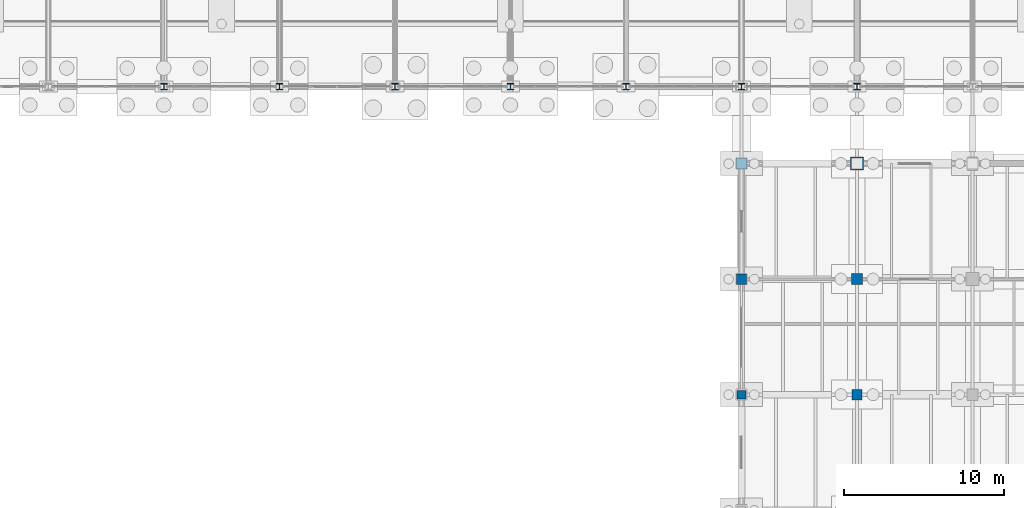
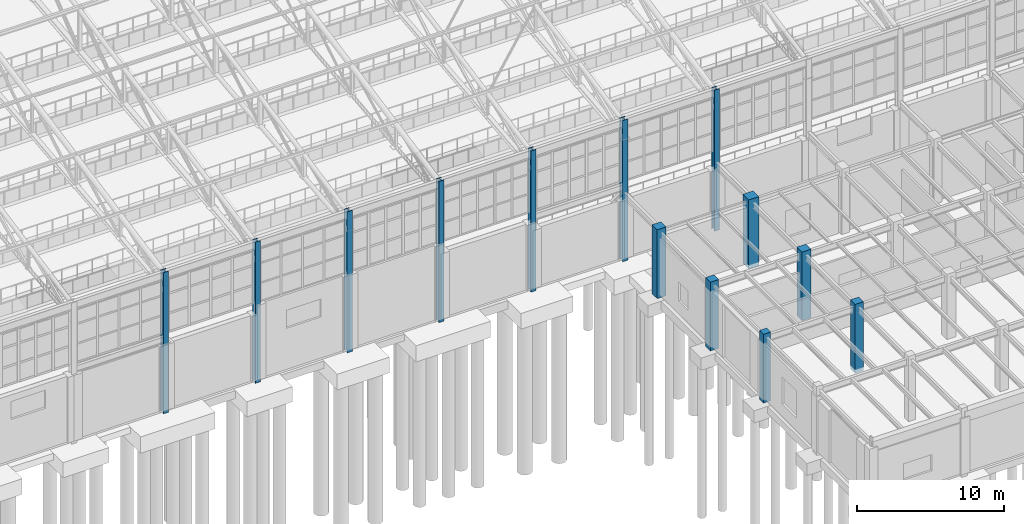
# One storey, part 25 of 293: 13 columns.
"""IFC4 building model written with IfcOpenShell, lengths in metres."""

from ifc_helpers import new_model, si_unit, direction, frame, origin, origin_2d, place, context, subcontext, project, spatial, rectangle, i_section, extrude, material, material_profile, profile_set, type_object, element, save


model = new_model("IFC4")

# Units and contexts
model_context = context("Model", 3, precision=1e-05, world=origin(), true_north=direction((0.0, 1.0)))
body_context = subcontext(model_context, "Body", "Model", "MODEL_VIEW")
ifc_project = project(units=[si_unit("LENGTHUNIT", "METRE"), si_unit("AREAUNIT", "SQUARE_METRE"), si_unit("VOLUMEUNIT", "CUBIC_METRE"), si_unit("PLANEANGLEUNIT", "RADIAN"), si_unit("MASSUNIT", "GRAM", prefix="KILO")], contexts=[model_context])

# Site, building, storey
site_placement = place(None, origin())
site = spatial("IfcSite", under=ifc_project, at=site_placement, CompositionType="ELEMENT")
building_placement = place(site_placement, origin())
building = spatial("IfcBuilding", under=site, at=building_placement, Name="Kemerveld Promenade Tramway Depot", CompositionType="ELEMENT")
storey_placement = place(building_placement, origin())
storey = spatial("IfcBuildingStorey", under=building, at=storey_placement, Name="L00", CompositionType="ELEMENT", Elevation=0.0)

# Columns
ifc_material_1 = material(Name="Concrete C40/50", Category="concrete")
ifc_material_profile_1 = material_profile(ifc_material_1, rectangle(XDim=0.800048828125, YDim=0.800048828125, at=origin_2d()), Name="RC-COL-800x800")
ifc_profile_set_1 = profile_set([ifc_material_profile_1], Name="Concrete C40/50")
column_type_1 = type_object("IfcColumnType", Name="COL-RC10", PredefinedType="COLUMN", material=ifc_profile_set_1)
column_1_placement = place(storey_placement, frame((122.39990234375, 79.199951171875, -0.300048828125), z_axis=(0.0, 0.0, 1.0), x_axis=(1.0, 0.0, 0.0)))
element("IfcColumn", 1, at=column_1_placement, inside=storey, type_object=column_type_1, Name="COL-L00-18-M", PredefinedType="COLUMN", context=body_context, shape_type="SweptSolid", body=[
    extrude(rectangle(XDim=0.800048828125, YDim=0.800048828125, at=origin_2d()), origin(), (0.0, 0.0, 1.0), 5.699951171875),
])
ifc_material_profile_2 = material_profile(ifc_material_1, rectangle(XDim=0.550048828125, YDim=0.550048828125, at=origin_2d()), Name="RC-COL-550x550")
ifc_profile_set_2 = profile_set([ifc_material_profile_2], Name="Concrete C40/50")
column_type_2 = type_object("IfcColumnType", Name="COL-RC7", PredefinedType="COLUMN", material=ifc_profile_set_2)
column_2_placement = place(storey_placement, frame((115.199951171875, 64.800048828125, -0.300048828125), z_axis=(0.0, 0.0, 1.0), x_axis=(1.0, 0.0, 0.0)))
element("IfcColumn", 2, at=column_2_placement, inside=storey, type_object=column_type_2, Name="COL-L00-17-K", PredefinedType="COLUMN", context=body_context, shape_type="SweptSolid", body=[
    extrude(rectangle(XDim=0.550048828125, YDim=0.550048828125, at=origin_2d()), origin(), (0.0, 0.0, 1.0), 5.699951171875),
])
ifc_material_profile_3 = material_profile(ifc_material_1, rectangle(XDim=0.64990234375, YDim=0.64990234375, at=origin_2d()), Name="RC-COL-650x650")
ifc_profile_set_3 = profile_set([ifc_material_profile_3], Name="Concrete C40/50")
column_type_3 = type_object("IfcColumnType", Name="COL-RC8", PredefinedType="COLUMN", material=ifc_profile_set_3)
for number, where, z_axis, x_axis, name in (
    (3, (115.199951171875, 72.0, -0.300048828125), (0.0, 0.0, 1.0), (1.0, 0.0, 0.0), "COL-L00-17-L"),
    (4, (122.39990234375, 64.800048828125, -0.300048828125), (0.0, 0.0, 1.0), (1.0, 0.0, 0.0), "COL-L00-18-K"),
):
    element("IfcColumn", number, at=place(storey_placement, frame(where, z_axis=z_axis, x_axis=x_axis)), inside=storey, type_object=column_type_3, Name=name, PredefinedType="COLUMN", context=body_context, shape_type="SweptSolid", body=[
        extrude(rectangle(XDim=0.64990234375, YDim=0.64990234375, at=origin_2d()), origin(), (0.0, 0.0, 1.0), 5.699951171875),
    ])
ifc_material_profile_4 = material_profile(ifc_material_1, rectangle(XDim=0.699951171875, YDim=0.699951171875, at=origin_2d()), Name="RC-COL-700x700")
ifc_profile_set_4 = profile_set([ifc_material_profile_4], Name="Concrete C40/50")
column_type_4 = type_object("IfcColumnType", Name="COL-RC9", PredefinedType="COLUMN", material=ifc_profile_set_4)
for number, where, z_axis, x_axis, name in (
    (5, (115.199951171875, 79.199951171875, -0.300048828125), (0.0, 0.0, 1.0), (1.0, 0.0, 0.0), "COL-L00-17-M"),
    (6, (122.39990234375, 72.0, -0.300048828125), (0.0, 0.0, 1.0), (1.0, 0.0, 0.0), "COL-L00-18-L"),
):
    element("IfcColumn", number, at=place(storey_placement, frame(where, z_axis=z_axis, x_axis=x_axis)), inside=storey, type_object=column_type_4, Name=name, PredefinedType="COLUMN", context=body_context, shape_type="SweptSolid", body=[
        extrude(rectangle(XDim=0.699951171875, YDim=0.699951171875, at=origin_2d()), origin(), (0.0, 0.0, 1.0), 5.699951171875),
    ])
ifc_material_2 = material(Name="Steel S355", Category="steel")
ifc_material_profile_5 = material_profile(ifc_material_2, i_section(OverallWidth=0.403076171875, OverallDepth=0.406494140625, WebThickness=0.026611328125, FlangeThickness=0.04296875, FilletRadius=0.01513671875, at=origin_2d()), Name="356x406x340 UC")
ifc_profile_set_5 = profile_set([ifc_material_profile_5], Name="Steel S355")
column_type_5 = type_object("IfcColumnType", Name="COL-S01", PredefinedType="COLUMN", material=ifc_profile_set_5)
for number, where, z_axis, x_axis, name in (
    (7, (79.199951171875, 84.0, -0.300048828125), (0.0, 0.0, 1.0), (1.0, 0.0, 0.0), "COL-L00-12-N"),
    (8, (86.39990234375, 84.0, -0.300048828125), (0.0, 0.0, 1.0), (1.0, 0.0, 0.0), "COL-L00-13-N"),
    (9, (93.60009765625, 84.0, -0.300048828125), (0.0, 0.0, 1.0), (1.0, 0.0, 0.0), "COL-L00-14-N"),
    (10, (100.800048828125, 84.0, -0.300048828125), (0.0, 0.0, 1.0), (1.0, 0.0, 0.0), "COL-L00-15-N"),
    (11, (108.0, 84.0, -0.300048828125), (0.0, 0.0, 1.0), (1.0, 0.0, 0.0), "COL-L00-16-N"),
    (12, (115.199951171875, 84.0, -0.300048828125), (0.0, 0.0, 1.0), (1.0, 0.0, 0.0), "COL-L00-17-N"),
    (13, (122.39990234375, 84.0, -0.300048828125), (0.0, 0.0, 1.0), (1.0, 0.0, 0.0), "COL-L00-18-N"),
):
    element("IfcColumn", number, at=place(storey_placement, frame(where, z_axis=z_axis, x_axis=x_axis)), inside=storey, type_object=column_type_5, Name=name, PredefinedType="COLUMN", context=body_context, shape_type="SweptSolid", body=[
        extrude(i_section(OverallWidth=0.403076171875, OverallDepth=0.406494140625, WebThickness=0.026611328125, FlangeThickness=0.04296875, FilletRadius=0.01513671875, at=origin_2d()), origin(), (0.0, 0.0, 1.0), 11.699951171875),
    ])

save(model, "model.ifc")
